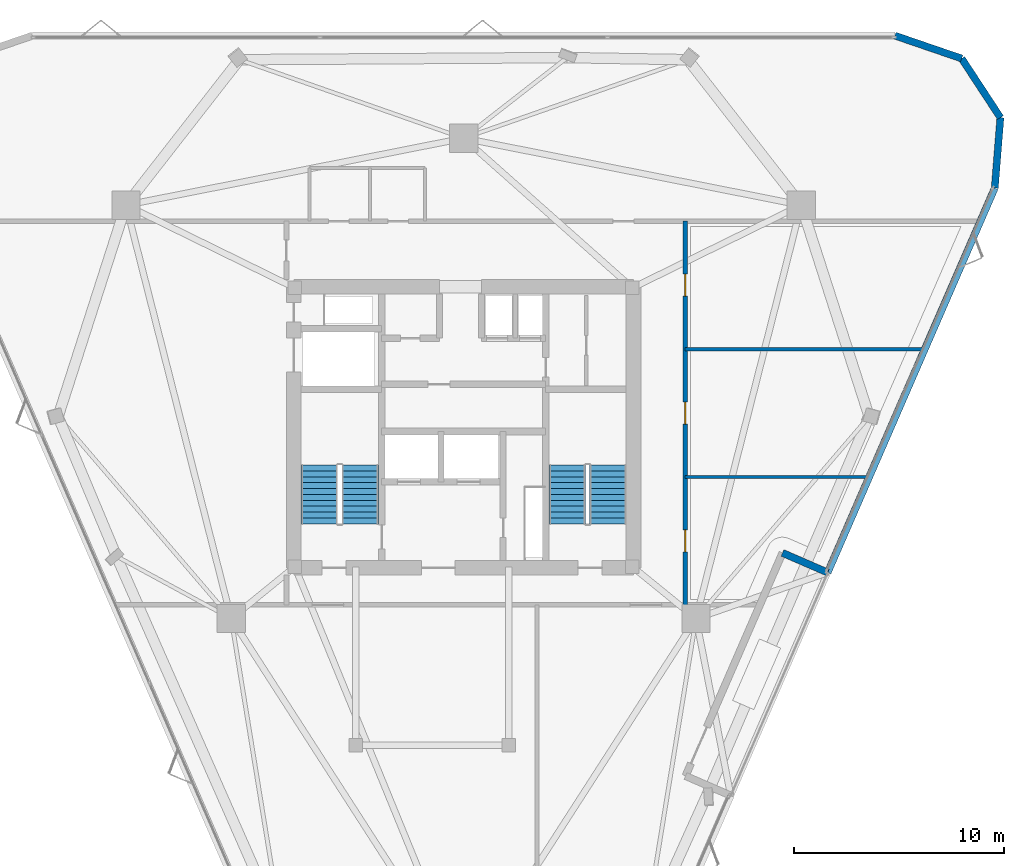
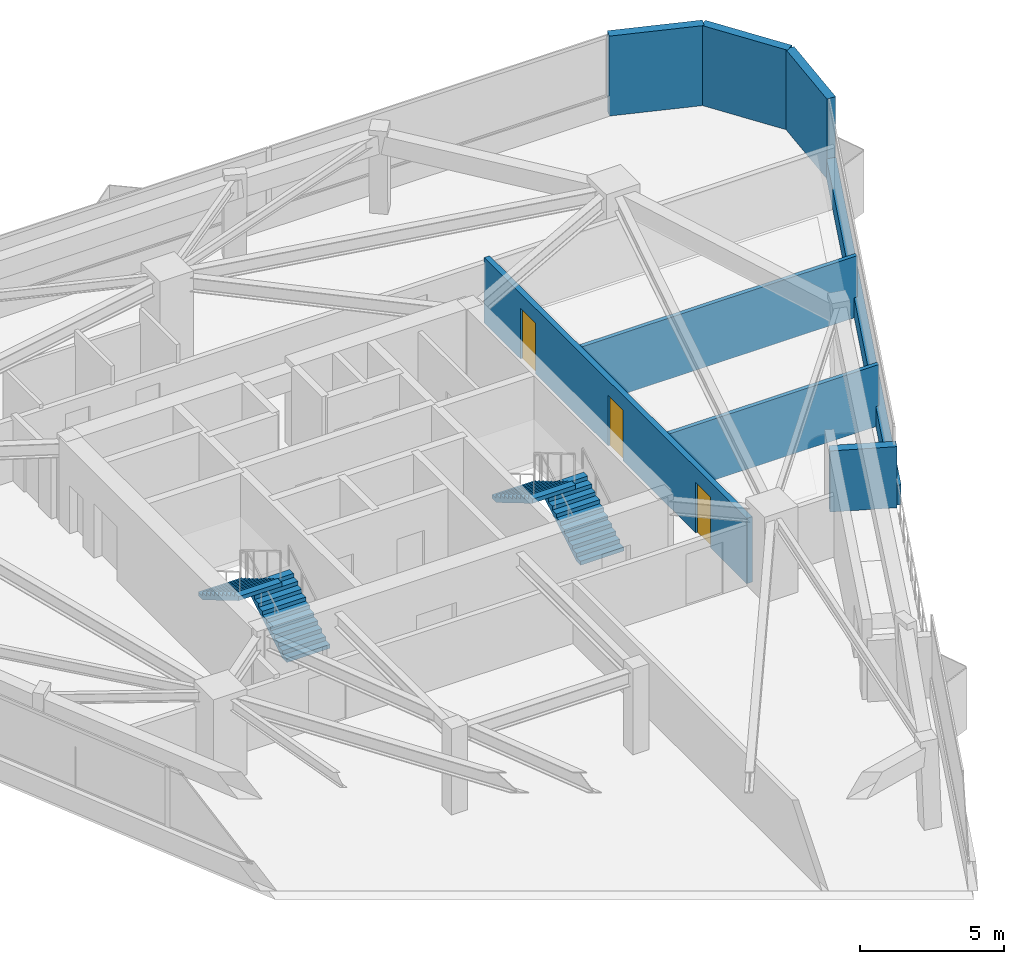
# One storey, part 9 of 11: 8 walls, 4 stair flights, 3 doors, 3 openings, 2 elements without a shape of their own.
"""IFC4 building model written with IfcOpenShell, lengths in metres."""

import ifcopenshell
import ifcopenshell.guid

model = None  # the IFC model being written
_history = None  # IfcOwnerHistory: only IFC2X3 demands one
_inside = {}  # id of a spatial element -> (the spatial element, [elements in it])
_under = {}  # id of a project, library or spatial element -> (it, [spatial elements below it])
_declared = {}  # id of a project -> (the project, [libraries it declares])
_typed = {}  # id of a type object -> (the type object, [elements of that type])
_made_of = {}  # id of a material, layer set ... -> (it, [elements and type objects made of it])


def new_model(schema):
    """Start an empty IFC model of exactly this schema.

    Asked for "IFC4X3", IfcOpenShell would pick the latest addendum, in which some entities
    have other attributes; the version numbers below select the first issue.
    IFC2X3 requires an IfcOwnerHistory on every rooted entity: one is made here for all.
    """
    global model, _history
    if schema == "IFC4X3":
        model = ifcopenshell.file(schema_version=(4, 3, 0, 0))
    else:
        model = ifcopenshell.file(schema=schema)
    _inside.clear()
    _under.clear()
    _declared.clear()
    _typed.clear()
    _made_of.clear()
    _history = None
    if model.schema == "IFC2X3":
        org = make("IfcOrganization", Name="unknown")
        user = make(
            "IfcPersonAndOrganization",
            ThePerson=make("IfcPerson", FamilyName="unknown"),
            TheOrganization=org,
        )
        app = make(
            "IfcApplication",
            ApplicationDeveloper=org,
            Version="unknown",
            ApplicationFullName="unknown",
            ApplicationIdentifier="unknown",
        )
        _history = make(
            "IfcOwnerHistory",
            OwningUser=user,
            OwningApplication=app,
            ChangeAction="ADDED",
            CreationDate=0,
        )
    return model


def make(cls, **values):
    """One entity of the class cls with the attributes given. An attribute that is None is left unset."""
    return model.create_entity(
        cls, **{name: value for name, value in values.items() if value is not None}
    )


def rooted(cls, **values):
    """An entity with a GlobalId (a new one), such as an element, a storey or a relation."""
    return make(cls, GlobalId=ifcopenshell.guid.new(), OwnerHistory=_history, **values)


def si_unit(unit_type, name, prefix=None):
    """IfcSIUnit, for example si_unit("LENGTHUNIT", "METRE", prefix="MILLI")."""
    return make("IfcSIUnit", UnitType=unit_type, Prefix=prefix, Name=name)


def assignment(units):
    """IfcUnitAssignment: the units of a project."""
    return None if units is None else make("IfcUnitAssignment", Units=units)


def point(xyz):
    """IfcCartesianPoint."""
    return None if xyz is None else make("IfcCartesianPoint", Coordinates=xyz)


def direction(xyz):
    """IfcDirection."""
    return None if xyz is None else make("IfcDirection", DirectionRatios=xyz)


def frame(location, z_axis=None, x_axis=None):
    """IfcAxis2Placement3D, a coordinate frame: its origin and axes. An axis left out is left unset."""
    return make(
        "IfcAxis2Placement3D",
        Location=point(location),
        Axis=direction(z_axis),
        RefDirection=direction(x_axis),
    )


def frame_2d(location, x_axis=None):
    """IfcAxis2Placement2D, a coordinate frame in the plane: its origin and x axis."""
    return make(
        "IfcAxis2Placement2D", Location=point(location), RefDirection=direction(x_axis)
    )


def origin():
    """The frame at (0, 0, 0) with its axes left unset."""
    return frame((0.0, 0.0, 0.0))


def place(relative_to, where):
    """IfcLocalPlacement: puts the frame where relative to a parent placement (None: the world)."""
    return make(
        "IfcLocalPlacement", PlacementRelTo=relative_to, RelativePlacement=where
    )


def context(
    kind, dimensions, precision=None, world=None, true_north=None, identifier=None
):
    """IfcGeometricRepresentationContext, for example the 3D "Model" context."""
    return make(
        "IfcGeometricRepresentationContext",
        ContextIdentifier=identifier,
        ContextType=kind,
        CoordinateSpaceDimension=dimensions,
        Precision=precision,
        WorldCoordinateSystem=world,
        TrueNorth=true_north,
    )


def subcontext(parent, identifier, kind, view, scale=None):
    """IfcGeometricRepresentationSubContext, for example "Body" below "Model"."""
    return make(
        "IfcGeometricRepresentationSubContext",
        ContextIdentifier=identifier,
        ContextType=kind,
        ParentContext=parent,
        TargetScale=scale,
        TargetView=view,
    )


def project(units=None, contexts=None):
    """IfcProject with its units and contexts."""
    return rooted(
        "IfcProject",
        Name="project",
        RepresentationContexts=contexts,
        UnitsInContext=assignment(units),
    )


def spatial(cls, under=None, at=None, **own):
    """A site, building, storey or space (cls), placed at a placement, below another one or the project."""
    s = rooted(cls, ObjectPlacement=at, **own)
    if under is not None:
        _under.setdefault(under.id(), (under, []))[1].append(s)
    return s


def polyline(points):
    """IfcPolyline through the points."""
    return make("IfcPolyline", Points=[point(p) for p in points])


def profile(cls, at=None, kind="AREA", **sizes):
    """A parametric profile (cls). Its sizes go by their IFC names, for example OverallWidth=200.0."""
    return make(cls, ProfileType=kind, Position=at, **sizes)


def rectangle(**sizes):
    """IfcRectangleProfileDef."""
    return profile("IfcRectangleProfileDef", **sizes)


def outline(outer, holes=None, kind="AREA"):
    """IfcArbitraryClosedProfileDef: a profile drawn as a closed curve; with holes, ...WithVoids."""
    if holes is None:
        return make("IfcArbitraryClosedProfileDef", ProfileType=kind, OuterCurve=outer)
    return make(
        "IfcArbitraryProfileDefWithVoids",
        ProfileType=kind,
        OuterCurve=outer,
        InnerCurves=holes,
    )


def extrude(swept, where, along, depth):
    """IfcExtrudedAreaSolid: the profile swept, set in the frame where, extruded along a direction by depth."""
    return make(
        "IfcExtrudedAreaSolid",
        SweptArea=swept,
        Position=where,
        ExtrudedDirection=direction(along),
        Depth=depth,
    )


def shape(context_of_items, identifier, shape_type, items):
    """IfcShapeRepresentation: the items that make up one representation, for example the "Body"."""
    return make(
        "IfcShapeRepresentation",
        ContextOfItems=context_of_items,
        RepresentationIdentifier=identifier,
        RepresentationType=shape_type,
        Items=items,
    )


def material(Name=None, Category=None):
    """IfcMaterial."""
    return make("IfcMaterial", Name=Name, Category=Category)


def layer(
    of_material, thickness, ventilated=None, Name=None, Category=None, Priority=None
):
    """IfcMaterialLayer: one layer of a wall or slab, of a material (None: an air gap)."""
    return make(
        "IfcMaterialLayer",
        Material=of_material,
        LayerThickness=thickness,
        IsVentilated=ventilated,
        Name=Name,
        Category=Category,
        Priority=Priority,
    )


def layer_set(layers, Name=None):
    """IfcMaterialLayerSet."""
    return make("IfcMaterialLayerSet", MaterialLayers=layers, LayerSetName=Name)


def made_of(thing, what):
    """Note that an element or type object is made of a material, layer set ...; save() writes the relation."""
    if what is not None:
        _made_of.setdefault(what.id(), (what, []))[1].append(thing)
    return thing


def type_object(cls, material=None, **own):
    """A type object (cls), such as IfcWallType, which elements share."""
    return made_of(rooted(cls, **own), material)


def element(
    cls,
    number,
    at=None,
    inside=None,
    cuts=None,
    type_object=None,
    material=None,
    context=None,
    identifier="Body",
    shape_type=None,
    held_by="IfcProductDefinitionShape",
    body=None,
    shapes=None,
    **own,
):
    """One element of the class cls, such as IfcWall. Its Tag is "e" and its number.

    at: its placement. inside: the storey or other place that contains it. cuts: it is an
    opening in that element (IfcRelVoidsElement). A single representation is given by context,
    identifier, shape_type and body (its items); several are given by shapes. held_by: the class
    of the entity that holds the representations. save() writes the other relations.
    """
    e = rooted(cls, Tag="e%d" % number, ObjectPlacement=at, **own)
    if body is not None:
        shapes = [shape(context, identifier, shape_type, body)]
    if shapes is not None:
        e.Representation = make(held_by, Representations=shapes)
    if inside is not None:
        _inside.setdefault(inside.id(), (inside, []))[1].append(e)
    if cuts is not None:
        rooted(
            "IfcRelVoidsElement", RelatingBuildingElement=cuts, RelatedOpeningElement=e
        )
    if type_object is not None:
        _typed.setdefault(type_object.id(), (type_object, []))[1].append(e)
    return made_of(e, material)


def fill(opening, filler):
    """IfcRelFillsElement: the door or window that sits in an opening."""
    return rooted(
        "IfcRelFillsElement",
        RelatingOpeningElement=opening,
        RelatedBuildingElement=filler,
    )


def aggregate(whole, parts):
    """IfcRelAggregates: a whole, such as a stair, and the parts it consists of."""
    return rooted("IfcRelAggregates", RelatingObject=whole, RelatedObjects=parts)


def save(model, path):
    """Write the relations noted so far, then the file.

    IfcRelAggregates (storeys below a building ...), IfcRelContainedInSpatialStructure (elements
    in a storey), IfcRelDefinesByType, IfcRelAssociatesMaterial and IfcRelDeclares: one each for
    every whole, place, type object, material and project.
    """
    for whole, parts in _under.values():
        aggregate(whole, parts)
    for where, things in _inside.values():
        rooted(
            "IfcRelContainedInSpatialStructure",
            RelatedElements=things,
            RelatingStructure=where,
        )
    for kind, things in _typed.values():
        rooted("IfcRelDefinesByType", RelatedObjects=things, RelatingType=kind)
    for what, things in _made_of.values():
        rooted("IfcRelAssociatesMaterial", RelatedObjects=things, RelatingMaterial=what)
    for by, libraries in _declared.values():
        rooted("IfcRelDeclares", RelatingContext=by, RelatedDefinitions=libraries)
    model.write(path)


model = new_model("IFC4")

# Units and contexts
model_context = context("Model", 3, precision=1e-05, world=origin(), true_north=direction((0.0, 1.0)))
body_context = subcontext(model_context, "Body", "Model", "MODEL_VIEW")
ifc_project = project(units=[si_unit("LENGTHUNIT", "METRE"), si_unit("AREAUNIT", "SQUARE_METRE"), si_unit("VOLUMEUNIT", "CUBIC_METRE"), si_unit("PLANEANGLEUNIT", "RADIAN"), si_unit("MASSUNIT", "GRAM", prefix="KILO")], contexts=[model_context])

# Site, building, storey
site_placement = place(None, origin())
site = spatial("IfcSite", under=ifc_project, at=site_placement, CompositionType="ELEMENT")
building_placement = place(site_placement, origin())
building = spatial("IfcBuilding", under=site, at=building_placement, Name="Talyreon Biosciences Tower", CompositionType="ELEMENT")
storey_placement = place(building_placement, frame((0.0, 0.0, 201.300048828125)))
storey = spatial("IfcBuildingStorey", under=building, at=storey_placement, Name="L53", CompositionType="ELEMENT", Elevation=201.300048828125)

# Wall, openings, doors
ifc_material_1 = material(Name="Gypsum fireboard acoustic stud", Category="gypsum")
ifc_layer_1 = layer(ifc_material_1, 0.219970703125)
ifc_layer_set_1 = layer_set([ifc_layer_1], Name="Gypsum fireboard acoustic stud")
wall_type_1 = type_object("IfcWallType", Name="CorridorRatedPartition_220", PredefinedType="PARTITIONING", material=ifc_layer_set_1)
wall_1_placement = place(storey_placement, frame((76.570068359375, 59.530029296875, 0.0), z_axis=(0.0, 0.0, 1.0), x_axis=(0.0, 1.0, 0.0)))
wall_1 = element("IfcWall", 1, at=wall_1_placement, inside=storey, type_object=wall_type_1, Name="L53 Interior Wall IW-L53-COR-E", PredefinedType="PARTITIONING", context=body_context, shape_type="SweptSolid", body=[
    extrude(rectangle(XDim=18.300048828125, YDim=0.219970703125, at=frame_2d((9.14990234375, 0.0))), origin(), (0.0, 0.0, 1.0), 2.780029296875),
])
opening_1_placement = place(wall_1_placement, frame((2.52490234375, 0.0, 0.0)))
opening_1 = element("IfcOpeningElement", 2, at=opening_1_placement, cuts=wall_1, Name="Opening DR-L53-E1A", PredefinedType="OPENING", context=body_context, shape_type="SweptSolid", body=[
    extrude(rectangle(XDim=1.050048828125, YDim=2.14990234375, at=frame_2d((0.52490234375, 1.074951171875))), frame((0.0, 0.119873046875, 0.0), z_axis=(0.0, -1.0, 0.0), x_axis=(1.0, 0.0, 0.0)), (0.0, 0.0, 1.0), 0.239990234375),
])
opening_2_placement = place(wall_1_placement, frame((8.625, 0.0, 0.0)))
opening_2 = element("IfcOpeningElement", 3, at=opening_2_placement, cuts=wall_1, Name="Opening DR-L53-E2A", PredefinedType="OPENING", context=body_context, shape_type="SweptSolid", body=[
    extrude(rectangle(XDim=1.050048828125, YDim=2.14990234375, at=frame_2d((0.52490234375, 1.074951171875))), frame((0.0, 0.119873046875, 0.0), z_axis=(0.0, -1.0, 0.0), x_axis=(1.0, 0.0, 0.0)), (0.0, 0.0, 1.0), 0.239990234375),
])
opening_3_placement = place(wall_1_placement, frame((14.72509765625, 0.0, 0.0)))
opening_3 = element("IfcOpeningElement", 4, at=opening_3_placement, cuts=wall_1, Name="Opening DR-L53-E3A", PredefinedType="OPENING", context=body_context, shape_type="SweptSolid", body=[
    extrude(rectangle(XDim=1.050048828125, YDim=2.14990234375, at=frame_2d((0.52490234375, 1.074951171875))), frame((0.0, 0.119873046875, 0.0), z_axis=(0.0, -1.0, 0.0), x_axis=(1.0, 0.0, 0.0)), (0.0, 0.0, 1.0), 0.239990234375),
])
ifc_material_2 = material(Name="Acoustic timber-core laboratory door", Category="wood")
door_type = type_object("IfcDoorType", Name="DryLabSingleDoor_1050x2150", OperationType="NOTDEFINED", PredefinedType="DOOR", material=ifc_material_2)
door_1_placement = place(opening_1_placement, origin())
door_1 = element("IfcDoor", 5, at=door_1_placement, inside=storey, type_object=door_type, Name="L53 Interior Door DR-L53-E1A", OperationType="SINGLE_SWING_LEFT", OverallHeight=2.14990234375, OverallWidth=1.050048828125, PredefinedType="DOOR", context=body_context, shape_type="SweptSolid", body=[
    extrude(rectangle(XDim=1.050048828125, YDim=2.14990234375, at=frame_2d((0.52490234375, 1.074951171875))), frame((0.0, 0.02490234375, 0.0), z_axis=(0.0, -1.0, 0.0), x_axis=(1.0, 0.0, 0.0)), (0.0, 0.0, 1.0), 0.050048828125),
])
fill(opening_1, door_1)
door_2_placement = place(opening_2_placement, origin())
door_2 = element("IfcDoor", 6, at=door_2_placement, inside=storey, type_object=door_type, Name="L53 Interior Door DR-L53-E2A", OperationType="SINGLE_SWING_RIGHT", OverallHeight=2.14990234375, OverallWidth=1.050048828125, PredefinedType="DOOR", context=body_context, shape_type="SweptSolid", body=[
    extrude(rectangle(XDim=1.050048828125, YDim=2.14990234375, at=frame_2d((0.52490234375, 1.074951171875))), frame((0.0, 0.02490234375, 0.0), z_axis=(0.0, -1.0, 0.0), x_axis=(1.0, 0.0, 0.0)), (0.0, 0.0, 1.0), 0.050048828125),
])
fill(opening_2, door_2)
door_3_placement = place(opening_3_placement, origin())
door_3 = element("IfcDoor", 7, at=door_3_placement, inside=storey, type_object=door_type, Name="L53 Interior Door DR-L53-E3A", OperationType="SINGLE_SWING_LEFT", OverallHeight=2.14990234375, OverallWidth=1.050048828125, PredefinedType="DOOR", context=body_context, shape_type="SweptSolid", body=[
    extrude(rectangle(XDim=1.050048828125, YDim=2.14990234375, at=frame_2d((0.52490234375, 1.074951171875))), frame((0.0, 0.02490234375, 0.0), z_axis=(0.0, -1.0, 0.0), x_axis=(1.0, 0.0, 0.0)), (0.0, 0.0, 1.0), 0.050048828125),
])
fill(opening_3, door_3)

# Walls
ifc_material_3 = material(Name="Gypsum acoustic stud partition", Category="gypsum")
ifc_layer_2 = layer(ifc_material_3, 0.159912109375)
ifc_layer_set_2 = layer_set([ifc_layer_2], Name="Gypsum acoustic stud partition")
wall_type_2 = type_object("IfcWallType", Name="LabSeparationPartition_160", PredefinedType="PARTITIONING", material=ifc_layer_set_2)
wall_2_placement = place(storey_placement, frame((76.570068359375, 65.6298828125, 0.0), z_axis=(0.0, 0.0, 1.0), x_axis=(1.0, 0.0, 0.0)))
element("IfcWall", 8, at=wall_2_placement, inside=storey, type_object=wall_type_2, Name="L53 Interior Wall IW-L53-EDIV1", PredefinedType="PARTITIONING", context=body_context, shape_type="SweptSolid", body=[
    extrude(rectangle(XDim=8.68115234375, YDim=0.159912109375, at=frame_2d((4.340576171875, 0.0))), origin(), (0.0, 0.0, 1.0), 2.599853515625),
])
wall_3_placement = place(storey_placement, frame((76.570068359375, 71.72998046875, 0.0), z_axis=(0.0, 0.0, 1.0), x_axis=(1.0, 0.0, 0.0)))
element("IfcWall", 9, at=wall_3_placement, inside=storey, type_object=wall_type_2, Name="L53 Interior Wall IW-L53-EDIV2", PredefinedType="PARTITIONING", context=body_context, shape_type="SweptSolid", body=[
    extrude(rectangle(XDim=11.33251953125, YDim=0.159912109375, at=frame_2d((5.666259765625, 0.0))), origin(), (0.0, 0.0, 1.0), 2.599853515625),
])
ifc_material_4 = material(Name="Precast concrete C45/55", Category="concrete")
ifc_layer_3 = layer(ifc_material_4, 0.340087890625)
ifc_layer_set_3 = layer_set([ifc_layer_3], Name="Precast concrete C45/55")
wall_type_3 = type_object("IfcWallType", Name="PrecastConcreteSpandrelWall_340", PredefinedType="STANDARD", material=ifc_layer_set_3)
wall_4_placement = place(storey_placement, frame((86.5654296875, 86.685302734375, 0.0), z_axis=(0.0, 0.0, 1.0), x_axis=(0.945984660403, -0.324211385182, 0.0)))
element("IfcWall", 10, at=wall_4_placement, inside=storey, type_object=wall_type_3, Name="L53 Rounded-Corner Concrete Pier 04", PredefinedType="STANDARD", context=body_context, shape_type="SweptSolid", body=[
    extrude(rectangle(XDim=3.371337890625, YDim=0.340087890625, at=frame_2d((1.685546875, 0.0))), origin(), (0.0, 0.0, 1.0), 3.39990234375),
])
wall_5_placement = place(storey_placement, frame((89.754638671875, 85.59228515625, 0.0), z_axis=(0.0, 0.0, 1.0), x_axis=(0.548384356693, -0.836226403155, 0.0)))
element("IfcWall", 11, at=wall_5_placement, inside=storey, type_object=wall_type_3, Name="L53 Rounded-Corner Concrete Pier 05", PredefinedType="STANDARD", context=body_context, shape_type="SweptSolid", body=[
    extrude(rectangle(XDim=3.37158203125, YDim=0.340087890625, at=frame_2d((1.685791015625, 0.0))), origin(), (0.0, 0.0, 1.0), 3.39990234375),
])
wall_6_placement = place(storey_placement, frame((91.603515625, 82.77294921875, 0.0), z_axis=(0.0, 0.0, 1.0), x_axis=(-0.079802786794, -0.996810671702, 0.0)))
element("IfcWall", 12, at=wall_6_placement, inside=storey, type_object=wall_type_3, Name="L53 Rounded-Corner Concrete Pier 06", PredefinedType="STANDARD", context=body_context, shape_type="SweptSolid", body=[
    extrude(rectangle(XDim=3.371337890625, YDim=0.340087890625, at=frame_2d((1.685546875, 0.0))), origin(), (0.0, 0.0, 1.0), 3.39990234375),
])
wall_7_placement = place(storey_placement, frame((91.33447265625, 79.412353515625, 0.0), z_axis=(0.0, 0.0, 1.0), x_axis=(-0.398629672145, -0.917111980341, 0.0)))
element("IfcWall", 13, at=wall_7_placement, inside=storey, type_object=wall_type_3, Name="L53 Expressed Concrete Sill Wall 07", PredefinedType="STANDARD", context=body_context, shape_type="SweptSolid", body=[
    extrude(rectangle(XDim=19.995361328125, YDim=0.340087890625, at=frame_2d((9.99755859375, 0.0))), origin(), (0.0, 0.0, 1.0), 0.849853515625),
])
wall_8_placement = place(storey_placement, frame((83.36376953125, 61.074462890625, 0.0), z_axis=(0.0, 0.0, 1.0), x_axis=(-0.917155923187, 0.398528559282, 0.0)))
element("IfcWall", 14, at=wall_8_placement, inside=storey, type_object=wall_type_3, Name="L53 Terrace Backing Concrete Wall 08", PredefinedType="STANDARD", context=body_context, shape_type="SweptSolid", body=[
    extrude(rectangle(XDim=2.349853515625, YDim=0.340087890625, at=frame_2d((1.1748046875, 0.0))), origin(), (0.0, 0.0, 1.0), 2.599853515625),
])

# Stair, stair flights
ifc_material_5 = material(Name="Concrete C40/50", Category="concrete")
stair_type = type_object("IfcStairType", Name="DoglegEscapeStair_3650", PredefinedType="HALF_TURN_STAIR", material=ifc_material_5)
stair_1_placement = place(storey_placement, origin())
stair_1 = element("IfcStair", 15, at=stair_1_placement, inside=storey, type_object=stair_type, Name="L53 Core Escape Stair 1", PredefinedType="HALF_TURN_STAIR")
stair_flight_type = type_object("IfcStairFlightType", Name="PrecastStairFlight_3650", PredefinedType="STRAIGHT", material=ifc_material_5)
stair_flight_1_placement = place(storey_placement, frame((61.06005859375, 63.39990234375, 0.0), z_axis=(0.0, 0.0, 1.0), x_axis=(0.0, 1.0, 0.0)))
stair_flight_1 = element("IfcStairFlight", 16, at=stair_flight_1_placement, type_object=stair_flight_type, Name="ST-1 flight 1", NumberOfRisers=11, NumberOfTreads=10, PredefinedType="STRAIGHT", RiserHeight=0.165909091, TreadLength=0.28, context=body_context, shape_type="SweptSolid", body=[
    extrude(outline(polyline([(0.0, 0.0), (0.0, 0.166015625), (0.280029296875, 0.166015625), (0.280029296875, 0.331787109375), (0.56005859375, 0.331787109375), (0.56005859375, 0.497802734375), (0.840087890625, 0.497802734375), (0.840087890625, 0.66357421875), (1.1201171875, 0.66357421875), (1.1201171875, 0.82958984375), (1.39990234375, 0.82958984375), (1.39990234375, 0.995361328125), (1.679931640625, 0.995361328125), (1.679931640625, 1.161376953125), (1.9599609375, 1.161376953125), (1.9599609375, 1.327392578125), (2.239990234375, 1.327392578125), (2.239990234375, 1.4931640625), (2.52001953125, 1.4931640625), (2.52001953125, 1.6591796875), (2.800048828125, 1.6591796875), (2.800048828125, 1.824951171875), (2.800048828125, 1.48486328125), (0.2939453125, 0.0), (0.0, 0.0)])), frame((0.0, 0.8701171875, 0.0), z_axis=(0.0, -1.0, 0.0), x_axis=(1.0, 0.0, 0.0)), (0.0, 0.0, 1.0), 1.739990234375),
])
stair_flight_2_placement = place(storey_placement, frame((59.1201171875, 66.199951171875, 1.824951171875), z_axis=(0.0, 0.0, 1.0), x_axis=(0.0, -1.0, 0.0)))
stair_flight_2 = element("IfcStairFlight", 17, at=stair_flight_2_placement, type_object=stair_flight_type, Name="ST-1 flight 2", NumberOfRisers=11, NumberOfTreads=10, PredefinedType="STRAIGHT", RiserHeight=0.165909091, TreadLength=0.28, context=body_context, shape_type="SweptSolid", body=[
    extrude(outline(polyline([(0.0, 0.0), (0.0, 0.166015625), (0.280029296875, 0.166015625), (0.280029296875, 0.331787109375), (0.56005859375, 0.331787109375), (0.56005859375, 0.497802734375), (0.840087890625, 0.497802734375), (0.840087890625, 0.66357421875), (1.1201171875, 0.66357421875), (1.1201171875, 0.82958984375), (1.39990234375, 0.82958984375), (1.39990234375, 0.995361328125), (1.679931640625, 0.995361328125), (1.679931640625, 1.161376953125), (1.9599609375, 1.161376953125), (1.9599609375, 1.327392578125), (2.239990234375, 1.327392578125), (2.239990234375, 1.4931640625), (2.52001953125, 1.4931640625), (2.52001953125, 1.6591796875), (2.800048828125, 1.6591796875), (2.800048828125, 1.824951171875), (2.800048828125, 1.48486328125), (0.2939453125, 0.0), (0.0, 0.0)])), frame((0.0, 0.8701171875, 0.0), z_axis=(0.0, -1.0, 0.0), x_axis=(1.0, 0.0, 0.0)), (0.0, 0.0, 1.0), 1.739990234375),
])
aggregate(stair_1, [stair_flight_1, stair_flight_2])

stair_2_placement = place(storey_placement, origin())
stair_2 = element("IfcStair", 18, at=stair_2_placement, inside=storey, type_object=stair_type, Name="L53 Core Escape Stair 2", PredefinedType="HALF_TURN_STAIR")
stair_flight_3_placement = place(storey_placement, frame((72.8798828125, 63.39990234375, 0.0), z_axis=(0.0, 0.0, 1.0), x_axis=(0.0, 1.0, 0.0)))
stair_flight_3 = element("IfcStairFlight", 19, at=stair_flight_3_placement, type_object=stair_flight_type, Name="ST-2 flight 1", NumberOfRisers=11, NumberOfTreads=10, PredefinedType="STRAIGHT", RiserHeight=0.165909091, TreadLength=0.28, context=body_context, shape_type="SweptSolid", body=[
    extrude(outline(polyline([(0.0, 0.0), (0.0, 0.166015625), (0.280029296875, 0.166015625), (0.280029296875, 0.331787109375), (0.56005859375, 0.331787109375), (0.56005859375, 0.497802734375), (0.840087890625, 0.497802734375), (0.840087890625, 0.66357421875), (1.1201171875, 0.66357421875), (1.1201171875, 0.82958984375), (1.39990234375, 0.82958984375), (1.39990234375, 0.995361328125), (1.679931640625, 0.995361328125), (1.679931640625, 1.161376953125), (1.9599609375, 1.161376953125), (1.9599609375, 1.327392578125), (2.239990234375, 1.327392578125), (2.239990234375, 1.4931640625), (2.52001953125, 1.4931640625), (2.52001953125, 1.6591796875), (2.800048828125, 1.6591796875), (2.800048828125, 1.824951171875), (2.800048828125, 1.48486328125), (0.2939453125, 0.0), (0.0, 0.0)])), frame((0.0, 0.8701171875, 0.0), z_axis=(0.0, -1.0, 0.0), x_axis=(1.0, 0.0, 0.0)), (0.0, 0.0, 1.0), 1.739990234375),
])
stair_flight_4_placement = place(storey_placement, frame((70.93994140625, 66.199951171875, 1.824951171875), z_axis=(0.0, 0.0, 1.0), x_axis=(0.0, -1.0, 0.0)))
stair_flight_4 = element("IfcStairFlight", 20, at=stair_flight_4_placement, type_object=stair_flight_type, Name="ST-2 flight 2", NumberOfRisers=11, NumberOfTreads=10, PredefinedType="STRAIGHT", RiserHeight=0.165909091, TreadLength=0.28, context=body_context, shape_type="SweptSolid", body=[
    extrude(outline(polyline([(0.0, 0.0), (0.0, 0.166015625), (0.280029296875, 0.166015625), (0.280029296875, 0.331787109375), (0.56005859375, 0.331787109375), (0.56005859375, 0.497802734375), (0.840087890625, 0.497802734375), (0.840087890625, 0.66357421875), (1.1201171875, 0.66357421875), (1.1201171875, 0.82958984375), (1.39990234375, 0.82958984375), (1.39990234375, 0.995361328125), (1.679931640625, 0.995361328125), (1.679931640625, 1.161376953125), (1.9599609375, 1.161376953125), (1.9599609375, 1.327392578125), (2.239990234375, 1.327392578125), (2.239990234375, 1.4931640625), (2.52001953125, 1.4931640625), (2.52001953125, 1.6591796875), (2.800048828125, 1.6591796875), (2.800048828125, 1.824951171875), (2.800048828125, 1.48486328125), (0.2939453125, 0.0), (0.0, 0.0)])), frame((0.0, 0.8701171875, 0.0), z_axis=(0.0, -1.0, 0.0), x_axis=(1.0, 0.0, 0.0)), (0.0, 0.0, 1.0), 1.739990234375),
])
aggregate(stair_2, [stair_flight_3, stair_flight_4])

save(model, "model.ifc")
